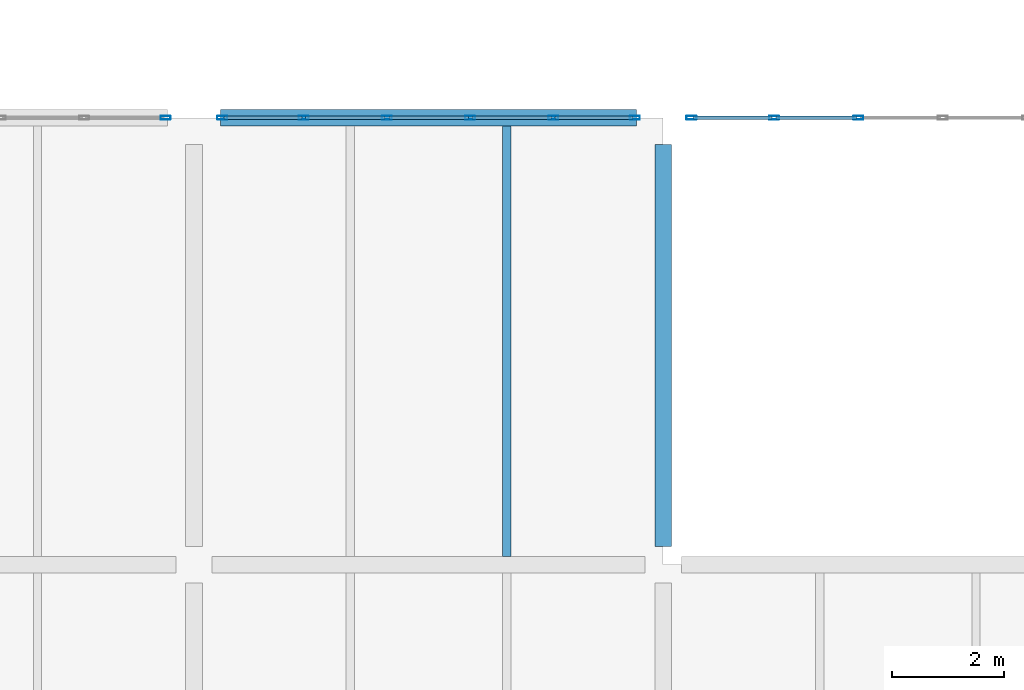
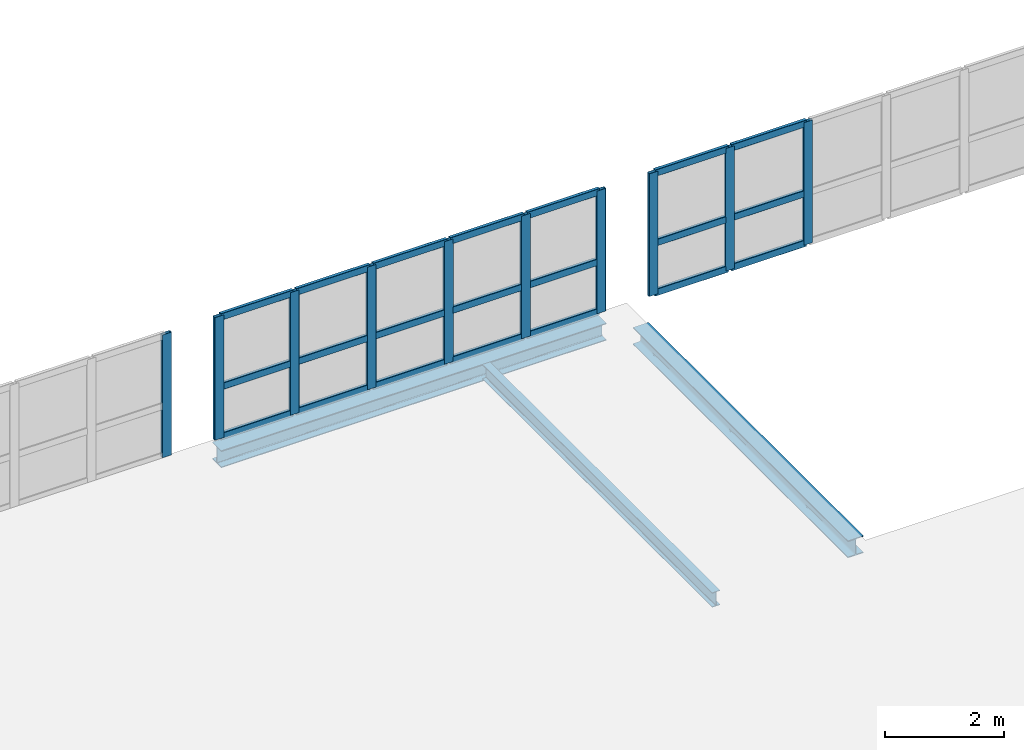
# One storey, part 11 of 177: 31 members, 3 beams, 3 elements without a shape of their own.
"""IFC4 building model written with IfcOpenShell, lengths in metres."""

import ifcopenshell
import ifcopenshell.guid

model = None  # the IFC model being written
_history = None  # IfcOwnerHistory: only IFC2X3 demands one
_inside = {}  # id of a spatial element -> (the spatial element, [elements in it])
_under = {}  # id of a project, library or spatial element -> (it, [spatial elements below it])
_declared = {}  # id of a project -> (the project, [libraries it declares])
_typed = {}  # id of a type object -> (the type object, [elements of that type])
_made_of = {}  # id of a material, layer set ... -> (it, [elements and type objects made of it])


def new_model(schema):
    """Start an empty IFC model of exactly this schema.

    Asked for "IFC4X3", IfcOpenShell would pick the latest addendum, in which some entities
    have other attributes; the version numbers below select the first issue.
    IFC2X3 requires an IfcOwnerHistory on every rooted entity: one is made here for all.
    """
    global model, _history
    if schema == "IFC4X3":
        model = ifcopenshell.file(schema_version=(4, 3, 0, 0))
    else:
        model = ifcopenshell.file(schema=schema)
    _inside.clear()
    _under.clear()
    _declared.clear()
    _typed.clear()
    _made_of.clear()
    _history = None
    if model.schema == "IFC2X3":
        org = make("IfcOrganization", Name="unknown")
        user = make(
            "IfcPersonAndOrganization",
            ThePerson=make("IfcPerson", FamilyName="unknown"),
            TheOrganization=org,
        )
        app = make(
            "IfcApplication",
            ApplicationDeveloper=org,
            Version="unknown",
            ApplicationFullName="unknown",
            ApplicationIdentifier="unknown",
        )
        _history = make(
            "IfcOwnerHistory",
            OwningUser=user,
            OwningApplication=app,
            ChangeAction="ADDED",
            CreationDate=0,
        )
    return model


def make(cls, **values):
    """One entity of the class cls with the attributes given. An attribute that is None is left unset."""
    return model.create_entity(
        cls, **{name: value for name, value in values.items() if value is not None}
    )


def rooted(cls, **values):
    """An entity with a GlobalId (a new one), such as an element, a storey or a relation."""
    return make(cls, GlobalId=ifcopenshell.guid.new(), OwnerHistory=_history, **values)


def si_unit(unit_type, name, prefix=None):
    """IfcSIUnit, for example si_unit("LENGTHUNIT", "METRE", prefix="MILLI")."""
    return make("IfcSIUnit", UnitType=unit_type, Prefix=prefix, Name=name)


def assignment(units):
    """IfcUnitAssignment: the units of a project."""
    return None if units is None else make("IfcUnitAssignment", Units=units)


def point(xyz):
    """IfcCartesianPoint."""
    return None if xyz is None else make("IfcCartesianPoint", Coordinates=xyz)


def direction(xyz):
    """IfcDirection."""
    return None if xyz is None else make("IfcDirection", DirectionRatios=xyz)


def frame(location, z_axis=None, x_axis=None):
    """IfcAxis2Placement3D, a coordinate frame: its origin and axes. An axis left out is left unset."""
    return make(
        "IfcAxis2Placement3D",
        Location=point(location),
        Axis=direction(z_axis),
        RefDirection=direction(x_axis),
    )


def frame_2d(location, x_axis=None):
    """IfcAxis2Placement2D, a coordinate frame in the plane: its origin and x axis."""
    return make(
        "IfcAxis2Placement2D", Location=point(location), RefDirection=direction(x_axis)
    )


def origin():
    """The frame at (0, 0, 0) with its axes left unset."""
    return frame((0.0, 0.0, 0.0))


def origin_2d():
    """The frame at (0, 0) in the plane with its x axis left unset."""
    return frame_2d((0.0, 0.0))


def place(relative_to, where):
    """IfcLocalPlacement: puts the frame where relative to a parent placement (None: the world)."""
    return make(
        "IfcLocalPlacement", PlacementRelTo=relative_to, RelativePlacement=where
    )


def context(
    kind, dimensions, precision=None, world=None, true_north=None, identifier=None
):
    """IfcGeometricRepresentationContext, for example the 3D "Model" context."""
    return make(
        "IfcGeometricRepresentationContext",
        ContextIdentifier=identifier,
        ContextType=kind,
        CoordinateSpaceDimension=dimensions,
        Precision=precision,
        WorldCoordinateSystem=world,
        TrueNorth=true_north,
    )


def subcontext(parent, identifier, kind, view, scale=None):
    """IfcGeometricRepresentationSubContext, for example "Body" below "Model"."""
    return make(
        "IfcGeometricRepresentationSubContext",
        ContextIdentifier=identifier,
        ContextType=kind,
        ParentContext=parent,
        TargetScale=scale,
        TargetView=view,
    )


def project(units=None, contexts=None):
    """IfcProject with its units and contexts."""
    return rooted(
        "IfcProject",
        Name="project",
        RepresentationContexts=contexts,
        UnitsInContext=assignment(units),
    )


def spatial(cls, under=None, at=None, **own):
    """A site, building, storey or space (cls), placed at a placement, below another one or the project."""
    s = rooted(cls, ObjectPlacement=at, **own)
    if under is not None:
        _under.setdefault(under.id(), (under, []))[1].append(s)
    return s


def profile(cls, at=None, kind="AREA", **sizes):
    """A parametric profile (cls). Its sizes go by their IFC names, for example OverallWidth=200.0."""
    return make(cls, ProfileType=kind, Position=at, **sizes)


def hollow_rectangle(**sizes):
    """IfcRectangleHollowProfileDef."""
    return profile("IfcRectangleHollowProfileDef", **sizes)


def i_section(**sizes):
    """IfcIShapeProfileDef."""
    return profile("IfcIShapeProfileDef", **sizes)


def extrude(swept, where, along, depth):
    """IfcExtrudedAreaSolid: the profile swept, set in the frame where, extruded along a direction by depth."""
    return make(
        "IfcExtrudedAreaSolid",
        SweptArea=swept,
        Position=where,
        ExtrudedDirection=direction(along),
        Depth=depth,
    )


def shape(context_of_items, identifier, shape_type, items):
    """IfcShapeRepresentation: the items that make up one representation, for example the "Body"."""
    return make(
        "IfcShapeRepresentation",
        ContextOfItems=context_of_items,
        RepresentationIdentifier=identifier,
        RepresentationType=shape_type,
        Items=items,
    )


def material(Name=None, Category=None):
    """IfcMaterial."""
    return make("IfcMaterial", Name=Name, Category=Category)


def layer(
    of_material, thickness, ventilated=None, Name=None, Category=None, Priority=None
):
    """IfcMaterialLayer: one layer of a wall or slab, of a material (None: an air gap)."""
    return make(
        "IfcMaterialLayer",
        Material=of_material,
        LayerThickness=thickness,
        IsVentilated=ventilated,
        Name=Name,
        Category=Category,
        Priority=Priority,
    )


def layer_set(layers, Name=None):
    """IfcMaterialLayerSet."""
    return make("IfcMaterialLayerSet", MaterialLayers=layers, LayerSetName=Name)


def material_profile(
    of_material, cross_section, Name=None, Category=None, Priority=None
):
    """IfcMaterialProfile: a cross section and its material."""
    return make(
        "IfcMaterialProfile",
        Name=Name,
        Material=of_material,
        Profile=cross_section,
        Priority=Priority,
        Category=Category,
    )


def profile_set(profiles, Name=None, composite=None):
    """IfcMaterialProfileSet."""
    return make(
        "IfcMaterialProfileSet",
        Name=Name,
        MaterialProfiles=profiles,
        CompositeProfile=composite,
    )


def made_of(thing, what):
    """Note that an element or type object is made of a material, layer set ...; save() writes the relation."""
    if what is not None:
        _made_of.setdefault(what.id(), (what, []))[1].append(thing)
    return thing


def type_object(cls, material=None, **own):
    """A type object (cls), such as IfcWallType, which elements share."""
    return made_of(rooted(cls, **own), material)


def element(
    cls,
    number,
    at=None,
    inside=None,
    cuts=None,
    type_object=None,
    material=None,
    context=None,
    identifier="Body",
    shape_type=None,
    held_by="IfcProductDefinitionShape",
    body=None,
    shapes=None,
    **own,
):
    """One element of the class cls, such as IfcWall. Its Tag is "e" and its number.

    at: its placement. inside: the storey or other place that contains it. cuts: it is an
    opening in that element (IfcRelVoidsElement). A single representation is given by context,
    identifier, shape_type and body (its items); several are given by shapes. held_by: the class
    of the entity that holds the representations. save() writes the other relations.
    """
    e = rooted(cls, Tag="e%d" % number, ObjectPlacement=at, **own)
    if body is not None:
        shapes = [shape(context, identifier, shape_type, body)]
    if shapes is not None:
        e.Representation = make(held_by, Representations=shapes)
    if inside is not None:
        _inside.setdefault(inside.id(), (inside, []))[1].append(e)
    if cuts is not None:
        rooted(
            "IfcRelVoidsElement", RelatingBuildingElement=cuts, RelatedOpeningElement=e
        )
    if type_object is not None:
        _typed.setdefault(type_object.id(), (type_object, []))[1].append(e)
    return made_of(e, material)


def aggregate(whole, parts):
    """IfcRelAggregates: a whole, such as a stair, and the parts it consists of."""
    return rooted("IfcRelAggregates", RelatingObject=whole, RelatedObjects=parts)


def save(model, path):
    """Write the relations noted so far, then the file.

    IfcRelAggregates (storeys below a building ...), IfcRelContainedInSpatialStructure (elements
    in a storey), IfcRelDefinesByType, IfcRelAssociatesMaterial and IfcRelDeclares: one each for
    every whole, place, type object, material and project.
    """
    for whole, parts in _under.values():
        aggregate(whole, parts)
    for where, things in _inside.values():
        rooted(
            "IfcRelContainedInSpatialStructure",
            RelatedElements=things,
            RelatingStructure=where,
        )
    for kind, things in _typed.values():
        rooted("IfcRelDefinesByType", RelatedObjects=things, RelatingType=kind)
    for what, things in _made_of.values():
        rooted("IfcRelAssociatesMaterial", RelatedObjects=things, RelatingMaterial=what)
    for by, libraries in _declared.values():
        rooted("IfcRelDeclares", RelatingContext=by, RelatedDefinitions=libraries)
    model.write(path)


model = new_model("IFC4")

# Units and contexts
model_context = context("Model", 3, precision=1e-05, world=origin(), true_north=direction((0.0, 1.0)))
body_context = subcontext(model_context, "Body", "Model", "MODEL_VIEW")
ifc_project = project(units=[si_unit("LENGTHUNIT", "METRE"), si_unit("AREAUNIT", "SQUARE_METRE"), si_unit("VOLUMEUNIT", "CUBIC_METRE"), si_unit("PLANEANGLEUNIT", "RADIAN"), si_unit("MASSUNIT", "GRAM", prefix="KILO"), si_unit("THERMODYNAMICTEMPERATUREUNIT", "KELVIN"), si_unit("POWERUNIT", "WATT")], contexts=[model_context])

# Site, building, storey
site_placement = place(None, origin())
site = spatial("IfcSite", under=ifc_project, at=site_placement, CompositionType="ELEMENT")
building_placement = place(site_placement, origin())
building = spatial("IfcBuilding", under=site, at=building_placement, Name="Mavoryth Pier Ferry Terminal", CompositionType="ELEMENT")
storey_placement = place(building_placement, frame((0.0, 0.0, 5.43994140625)))
storey = spatial("IfcBuildingStorey", under=building, at=storey_placement, Name="L01", CompositionType="ELEMENT", Elevation=5.43994140625)

# Beam
ifc_material_1 = material(Name="Steel S355J2", Category="steel")
ifc_material_profile_1 = material_profile(ifc_material_1, i_section(OverallWidth=0.14990234375, OverallDepth=0.300048828125, WebThickness=0.007080078125, FlangeThickness=0.0107421875, FilletRadius=0.014892578125, at=origin_2d()), Name="IPE 300", Category="steel")
ifc_profile_set_1 = profile_set([ifc_material_profile_1], Name="Steel S355J2 - IPE 300")
beam_type_1 = type_object("IfcBeamType", Name="Joist-Steel-IPE300", PredefinedType="JOIST", material=ifc_profile_set_1)
beam_1_placement = place(storey_placement, frame((22.39990234375, 14.14990234375, -0.31005859375), z_axis=(0.0, 1.0, 0.0), x_axis=(-1.0, 0.0, 0.0)))
element("IfcBeam", 1, at=beam_1_placement, inside=storey, type_object=beam_type_1, Name="Beam B01-SJ04-0047", PredefinedType="JOIST", context=body_context, shape_type="SweptSolid", body=[
    extrude(i_section(OverallWidth=0.14990234375, OverallDepth=0.300048828125, WebThickness=0.007080078125, FlangeThickness=0.0107421875, FilletRadius=0.014892578125, at=origin_2d()), origin(), (0.0, 0.0, 1.0), 7.7001953125),
])

# Curtain wall, member
ifc_material_2 = material(Name="Anodised Aluminium and Solar-Control Low-E Glass", Category="aluminium")
ifc_layer = layer(ifc_material_2, 0.179931640625, Name="Anodised Aluminium and Solar-Control Low-E Glass", Category="aluminium")
ifc_layer_set = layer_set([ifc_layer], Name="Anodised Aluminium and Solar-Control Low-E Glass - CW-Concourse-Mod1400")
curtain_wall_type = type_object("IfcCurtainWallType", Name="CW-Concourse-Mod1400", PredefinedType="USERDEFINED", material=ifc_layer_set)
curtain_wall_1_placement = place(storey_placement, origin())
curtain_wall_1 = element("IfcCurtainWall", 2, at=curtain_wall_1_placement, inside=storey, type_object=curtain_wall_type, Name="Curtain Wall CW-0133-041", ObjectType="UNITISED CURTAIN WALL", PredefinedType="USERDEFINED")
ifc_material_3 = material(Name="Anodised Aluminium EN AW-6063", Category="aluminium")
ifc_material_profile_2 = material_profile(ifc_material_3, hollow_rectangle(XDim=0.06494140625, YDim=0.179931640625, WallThickness=0.00390625, InnerFilletRadius=0.00390625, OuterFilletRadius=0.008056640625, at=origin_2d()), Name="AL-MULL 180x65x4", Category="aluminium")
ifc_profile_set_2 = profile_set([ifc_material_profile_2], Name="Anodised Aluminium EN AW-6063 - AL-MULL 180x65x4")
member_type_1 = type_object("IfcMemberType", Name="Mullion-Alum-180x65", PredefinedType="MULLION", material=ifc_profile_set_2)
member_1_placement = place(storey_placement, frame((16.29248046875, 22.0, 0.0), z_axis=(0.0, 0.0, 1.0), x_axis=(0.0, 1.0, 0.0)))
member_1 = element("IfcMember", 3, at=member_1_placement, type_object=member_type_1, Name="CW01 mullion 6", PredefinedType="MULLION", context=body_context, shape_type="SweptSolid", body=[
    extrude(hollow_rectangle(XDim=0.06494140625, YDim=0.179931640625, WallThickness=0.00390625, InnerFilletRadius=0.00390625, OuterFilletRadius=0.008056640625, at=origin_2d()), origin(), (0.0, 0.0, 1.0), 2.510009765625),
])
aggregate(curtain_wall_1, [member_1])

# Curtain wall, members
curtain_wall_2_placement = place(storey_placement, origin())
curtain_wall_2 = element("IfcCurtainWall", 4, at=curtain_wall_2_placement, inside=storey, type_object=curtain_wall_type, Name="Curtain Wall CW-0133-044", ObjectType="UNITISED CURTAIN WALL", PredefinedType="USERDEFINED")
member_2_placement = place(storey_placement, frame((17.3076171875, 22.0, 0.0), z_axis=(0.0, 0.0, 1.0), x_axis=(0.0, 1.0, 0.0)))
member_2 = element("IfcMember", 5, at=member_2_placement, type_object=member_type_1, Name="CW01 mullion 1", PredefinedType="MULLION", context=body_context, shape_type="SweptSolid", body=[
    extrude(hollow_rectangle(XDim=0.06494140625, YDim=0.179931640625, WallThickness=0.00390625, InnerFilletRadius=0.00390625, OuterFilletRadius=0.008056640625, at=origin_2d()), origin(), (0.0, 0.0, 1.0), 2.510009765625),
])
member_3_placement = place(storey_placement, frame((18.764892578125, 22.0, 0.0), z_axis=(0.0, 0.0, 1.0), x_axis=(0.0, 1.0, 0.0)))
member_3 = element("IfcMember", 6, at=member_3_placement, type_object=member_type_1, Name="CW01 mullion 2", PredefinedType="MULLION", context=body_context, shape_type="SweptSolid", body=[
    extrude(hollow_rectangle(XDim=0.06494140625, YDim=0.179931640625, WallThickness=0.00390625, InnerFilletRadius=0.00390625, OuterFilletRadius=0.008056640625, at=origin_2d()), origin(), (0.0, 0.0, 1.0), 2.510009765625),
])
member_4_placement = place(storey_placement, frame((20.2548828125, 22.0, 0.0), z_axis=(0.0, 0.0, 1.0), x_axis=(0.0, 1.0, 0.0)))
member_4 = element("IfcMember", 7, at=member_4_placement, type_object=member_type_1, Name="CW01 mullion 3", PredefinedType="MULLION", context=body_context, shape_type="SweptSolid", body=[
    extrude(hollow_rectangle(XDim=0.06494140625, YDim=0.179931640625, WallThickness=0.00390625, InnerFilletRadius=0.00390625, OuterFilletRadius=0.008056640625, at=origin_2d()), origin(), (0.0, 0.0, 1.0), 2.510009765625),
])
member_5_placement = place(storey_placement, frame((21.7451171875, 22.0, 0.0), z_axis=(0.0, 0.0, 1.0), x_axis=(0.0, 1.0, 0.0)))
member_5 = element("IfcMember", 8, at=member_5_placement, type_object=member_type_1, Name="CW01 mullion 4", PredefinedType="MULLION", context=body_context, shape_type="SweptSolid", body=[
    extrude(hollow_rectangle(XDim=0.06494140625, YDim=0.179931640625, WallThickness=0.00390625, InnerFilletRadius=0.00390625, OuterFilletRadius=0.008056640625, at=origin_2d()), origin(), (0.0, 0.0, 1.0), 2.510009765625),
])
member_6_placement = place(storey_placement, frame((23.235107421875, 22.0, 0.0), z_axis=(0.0, 0.0, 1.0), x_axis=(0.0, 1.0, 0.0)))
member_6 = element("IfcMember", 9, at=member_6_placement, type_object=member_type_1, Name="CW01 mullion 5", PredefinedType="MULLION", context=body_context, shape_type="SweptSolid", body=[
    extrude(hollow_rectangle(XDim=0.06494140625, YDim=0.179931640625, WallThickness=0.00390625, InnerFilletRadius=0.00390625, OuterFilletRadius=0.008056640625, at=origin_2d()), origin(), (0.0, 0.0, 1.0), 2.510009765625),
])
member_7_placement = place(storey_placement, frame((24.6923828125, 22.0, 0.0), z_axis=(0.0, 0.0, 1.0), x_axis=(0.0, 1.0, 0.0)))
member_7 = element("IfcMember", 10, at=member_7_placement, type_object=member_type_1, Name="CW01 mullion 6", PredefinedType="MULLION", context=body_context, shape_type="SweptSolid", body=[
    extrude(hollow_rectangle(XDim=0.06494140625, YDim=0.179931640625, WallThickness=0.00390625, InnerFilletRadius=0.00390625, OuterFilletRadius=0.008056640625, at=origin_2d()), origin(), (0.0, 0.0, 1.0), 2.510009765625),
])

curtain_wall_3_placement = place(storey_placement, origin())
curtain_wall_3 = element("IfcCurtainWall", 11, at=curtain_wall_3_placement, inside=storey, type_object=curtain_wall_type, Name="Curtain Wall CW-0133-048", ObjectType="UNITISED CURTAIN WALL", PredefinedType="USERDEFINED")
member_8_placement = place(storey_placement, frame((25.70751953125, 22.0, 0.0), z_axis=(0.0, 0.0, 1.0), x_axis=(0.0, 1.0, 0.0)))
member_8 = element("IfcMember", 12, at=member_8_placement, type_object=member_type_1, Name="CW01 mullion 1", PredefinedType="MULLION", context=body_context, shape_type="SweptSolid", body=[
    extrude(hollow_rectangle(XDim=0.06494140625, YDim=0.179931640625, WallThickness=0.00390625, InnerFilletRadius=0.00390625, OuterFilletRadius=0.008056640625, at=origin_2d()), origin(), (0.0, 0.0, 1.0), 2.510009765625),
])
member_9_placement = place(storey_placement, frame((27.18505859375, 22.0, 0.0), z_axis=(0.0, 0.0, 1.0), x_axis=(0.0, 1.0, 0.0)))
member_9 = element("IfcMember", 13, at=member_9_placement, type_object=member_type_1, Name="CW01 mullion 2", PredefinedType="MULLION", context=body_context, shape_type="SweptSolid", body=[
    extrude(hollow_rectangle(XDim=0.06494140625, YDim=0.179931640625, WallThickness=0.00390625, InnerFilletRadius=0.00390625, OuterFilletRadius=0.008056640625, at=origin_2d()), origin(), (0.0, 0.0, 1.0), 2.510009765625),
])
member_10_placement = place(storey_placement, frame((28.695068359375, 22.0, 0.0), z_axis=(0.0, 0.0, 1.0), x_axis=(0.0, 1.0, 0.0)))
member_10 = element("IfcMember", 14, at=member_10_placement, type_object=member_type_1, Name="CW01 mullion 3", PredefinedType="MULLION", context=body_context, shape_type="SweptSolid", body=[
    extrude(hollow_rectangle(XDim=0.06494140625, YDim=0.179931640625, WallThickness=0.00390625, InnerFilletRadius=0.00390625, OuterFilletRadius=0.008056640625, at=origin_2d()), origin(), (0.0, 0.0, 1.0), 2.510009765625),
])

# Beams
ifc_material_profile_3 = material_profile(ifc_material_1, i_section(OverallWidth=0.300048828125, OverallDepth=0.35009765625, WebThickness=0.010009765625, FlangeThickness=0.017578125, FilletRadius=0.027099609375, at=origin_2d()), Name="HEA 360", Category="steel")
ifc_profile_set_3 = profile_set([ifc_material_profile_3], Name="Steel S355J2 - HEA 360")
beam_type_2 = type_object("IfcBeamType", Name="Spandrel-Steel-HEA360", PredefinedType="SPANDREL", material=ifc_profile_set_3)
beam_2_placement = place(storey_placement, frame((17.27490234375, 22.0, -0.3349609375), z_axis=(1.0, 0.0, 0.0), x_axis=(0.0, 1.0, 0.0)))
element("IfcBeam", 15, at=beam_2_placement, inside=storey, type_object=beam_type_2, Name="Beam B01-SP03-0040", PredefinedType="SPANDREL", context=body_context, shape_type="SweptSolid", body=[
    extrude(i_section(OverallWidth=0.300048828125, OverallDepth=0.35009765625, WebThickness=0.010009765625, FlangeThickness=0.017578125, FilletRadius=0.027099609375, at=origin_2d()), origin(), (0.0, 0.0, 1.0), 7.4501953125),
])
beam_3_placement = place(storey_placement, frame((25.199951171875, 14.324951171875, -0.3349609375), z_axis=(0.0, 1.0, 0.0), x_axis=(-1.0, 0.0, 0.0)))
element("IfcBeam", 16, at=beam_3_placement, inside=storey, type_object=beam_type_2, Name="Beam B01-SP03-0043", PredefinedType="SPANDREL", context=body_context, shape_type="SweptSolid", body=[
    extrude(i_section(OverallWidth=0.300048828125, OverallDepth=0.35009765625, WebThickness=0.010009765625, FlangeThickness=0.017578125, FilletRadius=0.027099609375, at=origin_2d()), origin(), (0.0, 0.0, 1.0), 7.199951171875),
])

# Member
ifc_material_profile_4 = material_profile(ifc_material_3, hollow_rectangle(XDim=0.06494140625, YDim=0.139892578125, WallThickness=0.00390625, InnerFilletRadius=0.00390625, OuterFilletRadius=0.008056640625, at=origin_2d()), Name="AL-TRAN 140x65x4", Category="aluminium")
ifc_profile_set_4 = profile_set([ifc_material_profile_4], Name="Anodised Aluminium EN AW-6063 - AL-TRAN 140x65x4")
member_type_2 = type_object("IfcMemberType", Name="Transom-Alum-140x65", PredefinedType="USERDEFINED", material=ifc_profile_set_4)
member_11_placement = place(storey_placement, frame((17.340087890625, 22.0, 0.032470703125), z_axis=(1.0, 0.0, 0.0), x_axis=(0.0, 1.0, 0.0)))
member_11 = element("IfcMember", 17, at=member_11_placement, type_object=member_type_2, Name="CW01 transom 1.1", ObjectType="TRANSOM", PredefinedType="USERDEFINED", context=body_context, shape_type="SweptSolid", body=[
    extrude(hollow_rectangle(XDim=0.06494140625, YDim=0.139892578125, WallThickness=0.00390625, InnerFilletRadius=0.00390625, OuterFilletRadius=0.008056640625, at=origin_2d()), origin(), (0.0, 0.0, 1.0), 1.392333984375),
])

member_12_placement = place(storey_placement, frame((17.340087890625, 22.0, 1.050048828125), z_axis=(1.0, 0.0, 0.0), x_axis=(0.0, 1.0, 0.0)))
member_12 = element("IfcMember", 18, at=member_12_placement, type_object=member_type_2, Name="CW01 transom 1.2", ObjectType="TRANSOM", PredefinedType="USERDEFINED", context=body_context, shape_type="SweptSolid", body=[
    extrude(hollow_rectangle(XDim=0.06494140625, YDim=0.139892578125, WallThickness=0.00390625, InnerFilletRadius=0.00390625, OuterFilletRadius=0.008056640625, at=origin_2d()), origin(), (0.0, 0.0, 1.0), 1.392333984375),
])

member_13_placement = place(storey_placement, frame((17.340087890625, 22.0, 2.4775390625), z_axis=(1.0, 0.0, 0.0), x_axis=(0.0, 1.0, 0.0)))
member_13 = element("IfcMember", 19, at=member_13_placement, type_object=member_type_2, Name="CW01 transom 1.3", ObjectType="TRANSOM", PredefinedType="USERDEFINED", context=body_context, shape_type="SweptSolid", body=[
    extrude(hollow_rectangle(XDim=0.06494140625, YDim=0.139892578125, WallThickness=0.00390625, InnerFilletRadius=0.00390625, OuterFilletRadius=0.008056640625, at=origin_2d()), origin(), (0.0, 0.0, 1.0), 1.392333984375),
])

member_14_placement = place(storey_placement, frame((18.797607421875, 22.0, 0.032470703125), z_axis=(1.0, 0.0, 0.0), x_axis=(0.0, 1.0, 0.0)))
member_14 = element("IfcMember", 20, at=member_14_placement, type_object=member_type_2, Name="CW01 transom 2.1", ObjectType="TRANSOM", PredefinedType="USERDEFINED", context=body_context, shape_type="SweptSolid", body=[
    extrude(hollow_rectangle(XDim=0.06494140625, YDim=0.139892578125, WallThickness=0.00390625, InnerFilletRadius=0.00390625, OuterFilletRadius=0.008056640625, at=origin_2d()), origin(), (0.0, 0.0, 1.0), 1.4248046875),
])

member_15_placement = place(storey_placement, frame((18.797607421875, 22.0, 1.050048828125), z_axis=(1.0, 0.0, 0.0), x_axis=(0.0, 1.0, 0.0)))
member_15 = element("IfcMember", 21, at=member_15_placement, type_object=member_type_2, Name="CW01 transom 2.2", ObjectType="TRANSOM", PredefinedType="USERDEFINED", context=body_context, shape_type="SweptSolid", body=[
    extrude(hollow_rectangle(XDim=0.06494140625, YDim=0.139892578125, WallThickness=0.00390625, InnerFilletRadius=0.00390625, OuterFilletRadius=0.008056640625, at=origin_2d()), origin(), (0.0, 0.0, 1.0), 1.4248046875),
])

member_16_placement = place(storey_placement, frame((18.797607421875, 22.0, 2.4775390625), z_axis=(1.0, 0.0, 0.0), x_axis=(0.0, 1.0, 0.0)))
member_16 = element("IfcMember", 22, at=member_16_placement, type_object=member_type_2, Name="CW01 transom 2.3", ObjectType="TRANSOM", PredefinedType="USERDEFINED", context=body_context, shape_type="SweptSolid", body=[
    extrude(hollow_rectangle(XDim=0.06494140625, YDim=0.139892578125, WallThickness=0.00390625, InnerFilletRadius=0.00390625, OuterFilletRadius=0.008056640625, at=origin_2d()), origin(), (0.0, 0.0, 1.0), 1.4248046875),
])

member_17_placement = place(storey_placement, frame((20.28759765625, 22.0, 0.032470703125), z_axis=(1.0, 0.0, 0.0), x_axis=(0.0, 1.0, 0.0)))
member_17 = element("IfcMember", 23, at=member_17_placement, type_object=member_type_2, Name="CW01 transom 3.1", ObjectType="TRANSOM", PredefinedType="USERDEFINED", context=body_context, shape_type="SweptSolid", body=[
    extrude(hollow_rectangle(XDim=0.06494140625, YDim=0.139892578125, WallThickness=0.00390625, InnerFilletRadius=0.00390625, OuterFilletRadius=0.008056640625, at=origin_2d()), origin(), (0.0, 0.0, 1.0), 1.4248046875),
])

member_18_placement = place(storey_placement, frame((20.28759765625, 22.0, 1.050048828125), z_axis=(1.0, 0.0, 0.0), x_axis=(0.0, 1.0, 0.0)))
member_18 = element("IfcMember", 24, at=member_18_placement, type_object=member_type_2, Name="CW01 transom 3.2", ObjectType="TRANSOM", PredefinedType="USERDEFINED", context=body_context, shape_type="SweptSolid", body=[
    extrude(hollow_rectangle(XDim=0.06494140625, YDim=0.139892578125, WallThickness=0.00390625, InnerFilletRadius=0.00390625, OuterFilletRadius=0.008056640625, at=origin_2d()), origin(), (0.0, 0.0, 1.0), 1.4248046875),
])

member_19_placement = place(storey_placement, frame((20.28759765625, 22.0, 2.4775390625), z_axis=(1.0, 0.0, 0.0), x_axis=(0.0, 1.0, 0.0)))
member_19 = element("IfcMember", 25, at=member_19_placement, type_object=member_type_2, Name="CW01 transom 3.3", ObjectType="TRANSOM", PredefinedType="USERDEFINED", context=body_context, shape_type="SweptSolid", body=[
    extrude(hollow_rectangle(XDim=0.06494140625, YDim=0.139892578125, WallThickness=0.00390625, InnerFilletRadius=0.00390625, OuterFilletRadius=0.008056640625, at=origin_2d()), origin(), (0.0, 0.0, 1.0), 1.4248046875),
])

member_20_placement = place(storey_placement, frame((21.777587890625, 22.0, 0.032470703125), z_axis=(1.0, 0.0, 0.0), x_axis=(0.0, 1.0, 0.0)))
member_20 = element("IfcMember", 26, at=member_20_placement, type_object=member_type_2, Name="CW01 transom 4.1", ObjectType="TRANSOM", PredefinedType="USERDEFINED", context=body_context, shape_type="SweptSolid", body=[
    extrude(hollow_rectangle(XDim=0.06494140625, YDim=0.139892578125, WallThickness=0.00390625, InnerFilletRadius=0.00390625, OuterFilletRadius=0.008056640625, at=origin_2d()), origin(), (0.0, 0.0, 1.0), 1.4248046875),
])

member_21_placement = place(storey_placement, frame((21.777587890625, 22.0, 1.050048828125), z_axis=(1.0, 0.0, 0.0), x_axis=(0.0, 1.0, 0.0)))
member_21 = element("IfcMember", 27, at=member_21_placement, type_object=member_type_2, Name="CW01 transom 4.2", ObjectType="TRANSOM", PredefinedType="USERDEFINED", context=body_context, shape_type="SweptSolid", body=[
    extrude(hollow_rectangle(XDim=0.06494140625, YDim=0.139892578125, WallThickness=0.00390625, InnerFilletRadius=0.00390625, OuterFilletRadius=0.008056640625, at=origin_2d()), origin(), (0.0, 0.0, 1.0), 1.4248046875),
])

member_22_placement = place(storey_placement, frame((21.777587890625, 22.0, 2.4775390625), z_axis=(1.0, 0.0, 0.0), x_axis=(0.0, 1.0, 0.0)))
member_22 = element("IfcMember", 28, at=member_22_placement, type_object=member_type_2, Name="CW01 transom 4.3", ObjectType="TRANSOM", PredefinedType="USERDEFINED", context=body_context, shape_type="SweptSolid", body=[
    extrude(hollow_rectangle(XDim=0.06494140625, YDim=0.139892578125, WallThickness=0.00390625, InnerFilletRadius=0.00390625, OuterFilletRadius=0.008056640625, at=origin_2d()), origin(), (0.0, 0.0, 1.0), 1.4248046875),
])

member_23_placement = place(storey_placement, frame((23.267578125, 22.0, 0.032470703125), z_axis=(1.0, 0.0, 0.0), x_axis=(0.0, 1.0, 0.0)))
member_23 = element("IfcMember", 29, at=member_23_placement, type_object=member_type_2, Name="CW01 transom 5.1", ObjectType="TRANSOM", PredefinedType="USERDEFINED", context=body_context, shape_type="SweptSolid", body=[
    extrude(hollow_rectangle(XDim=0.06494140625, YDim=0.139892578125, WallThickness=0.00390625, InnerFilletRadius=0.00390625, OuterFilletRadius=0.008056640625, at=origin_2d()), origin(), (0.0, 0.0, 1.0), 1.392333984375),
])

member_24_placement = place(storey_placement, frame((23.267578125, 22.0, 1.050048828125), z_axis=(1.0, 0.0, 0.0), x_axis=(0.0, 1.0, 0.0)))
member_24 = element("IfcMember", 30, at=member_24_placement, type_object=member_type_2, Name="CW01 transom 5.2", ObjectType="TRANSOM", PredefinedType="USERDEFINED", context=body_context, shape_type="SweptSolid", body=[
    extrude(hollow_rectangle(XDim=0.06494140625, YDim=0.139892578125, WallThickness=0.00390625, InnerFilletRadius=0.00390625, OuterFilletRadius=0.008056640625, at=origin_2d()), origin(), (0.0, 0.0, 1.0), 1.392333984375),
])

member_25_placement = place(storey_placement, frame((23.267578125, 22.0, 2.4775390625), z_axis=(1.0, 0.0, 0.0), x_axis=(0.0, 1.0, 0.0)))
member_25 = element("IfcMember", 31, at=member_25_placement, type_object=member_type_2, Name="CW01 transom 5.3", ObjectType="TRANSOM", PredefinedType="USERDEFINED", context=body_context, shape_type="SweptSolid", body=[
    extrude(hollow_rectangle(XDim=0.06494140625, YDim=0.139892578125, WallThickness=0.00390625, InnerFilletRadius=0.00390625, OuterFilletRadius=0.008056640625, at=origin_2d()), origin(), (0.0, 0.0, 1.0), 1.392333984375),
])

aggregate(curtain_wall_2, [member_2, member_3, member_4, member_5, member_6, member_7, member_11, member_12, member_13, member_14, member_15, member_16, member_17, member_18, member_19, member_20, member_21, member_22, member_23, member_24, member_25])

member_26_placement = place(storey_placement, frame((25.739990234375, 22.0, 0.032470703125), z_axis=(1.0, 0.0, 0.0), x_axis=(0.0, 1.0, 0.0)))
member_26 = element("IfcMember", 32, at=member_26_placement, type_object=member_type_2, Name="CW01 transom 1.1", ObjectType="TRANSOM", PredefinedType="USERDEFINED", context=body_context, shape_type="SweptSolid", body=[
    extrude(hollow_rectangle(XDim=0.06494140625, YDim=0.139892578125, WallThickness=0.00390625, InnerFilletRadius=0.00390625, OuterFilletRadius=0.008056640625, at=origin_2d()), origin(), (0.0, 0.0, 1.0), 1.41259765625),
])

member_27_placement = place(storey_placement, frame((25.739990234375, 22.0, 1.050048828125), z_axis=(1.0, 0.0, 0.0), x_axis=(0.0, 1.0, 0.0)))
member_27 = element("IfcMember", 33, at=member_27_placement, type_object=member_type_2, Name="CW01 transom 1.2", ObjectType="TRANSOM", PredefinedType="USERDEFINED", context=body_context, shape_type="SweptSolid", body=[
    extrude(hollow_rectangle(XDim=0.06494140625, YDim=0.139892578125, WallThickness=0.00390625, InnerFilletRadius=0.00390625, OuterFilletRadius=0.008056640625, at=origin_2d()), origin(), (0.0, 0.0, 1.0), 1.41259765625),
])

member_28_placement = place(storey_placement, frame((25.739990234375, 22.0, 2.4775390625), z_axis=(1.0, 0.0, 0.0), x_axis=(0.0, 1.0, 0.0)))
member_28 = element("IfcMember", 34, at=member_28_placement, type_object=member_type_2, Name="CW01 transom 1.3", ObjectType="TRANSOM", PredefinedType="USERDEFINED", context=body_context, shape_type="SweptSolid", body=[
    extrude(hollow_rectangle(XDim=0.06494140625, YDim=0.139892578125, WallThickness=0.00390625, InnerFilletRadius=0.00390625, OuterFilletRadius=0.008056640625, at=origin_2d()), origin(), (0.0, 0.0, 1.0), 1.41259765625),
])

member_29_placement = place(storey_placement, frame((27.217529296875, 22.0, 0.032470703125), z_axis=(1.0, 0.0, 0.0), x_axis=(0.0, 1.0, 0.0)))
member_29 = element("IfcMember", 35, at=member_29_placement, type_object=member_type_2, Name="CW01 transom 2.1", ObjectType="TRANSOM", PredefinedType="USERDEFINED", context=body_context, shape_type="SweptSolid", body=[
    extrude(hollow_rectangle(XDim=0.06494140625, YDim=0.139892578125, WallThickness=0.00390625, InnerFilletRadius=0.00390625, OuterFilletRadius=0.008056640625, at=origin_2d()), origin(), (0.0, 0.0, 1.0), 1.445068359375),
])

member_30_placement = place(storey_placement, frame((27.217529296875, 22.0, 1.050048828125), z_axis=(1.0, 0.0, 0.0), x_axis=(0.0, 1.0, 0.0)))
member_30 = element("IfcMember", 36, at=member_30_placement, type_object=member_type_2, Name="CW01 transom 2.2", ObjectType="TRANSOM", PredefinedType="USERDEFINED", context=body_context, shape_type="SweptSolid", body=[
    extrude(hollow_rectangle(XDim=0.06494140625, YDim=0.139892578125, WallThickness=0.00390625, InnerFilletRadius=0.00390625, OuterFilletRadius=0.008056640625, at=origin_2d()), origin(), (0.0, 0.0, 1.0), 1.445068359375),
])

member_31_placement = place(storey_placement, frame((27.217529296875, 22.0, 2.4775390625), z_axis=(1.0, 0.0, 0.0), x_axis=(0.0, 1.0, 0.0)))
member_31 = element("IfcMember", 37, at=member_31_placement, type_object=member_type_2, Name="CW01 transom 2.3", ObjectType="TRANSOM", PredefinedType="USERDEFINED", context=body_context, shape_type="SweptSolid", body=[
    extrude(hollow_rectangle(XDim=0.06494140625, YDim=0.139892578125, WallThickness=0.00390625, InnerFilletRadius=0.00390625, OuterFilletRadius=0.008056640625, at=origin_2d()), origin(), (0.0, 0.0, 1.0), 1.445068359375),
])

aggregate(curtain_wall_3, [member_8, member_9, member_10, member_26, member_27, member_28, member_29, member_30, member_31])

save(model, "model.ifc")
